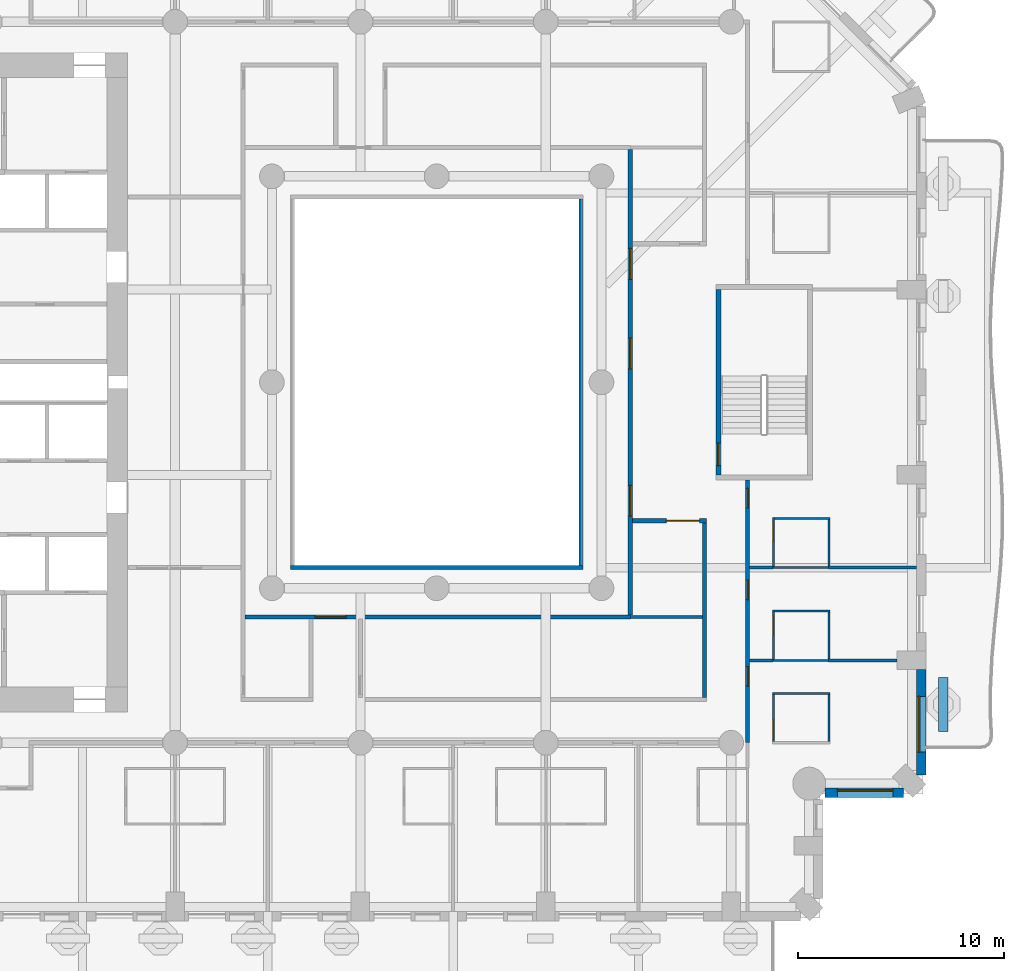
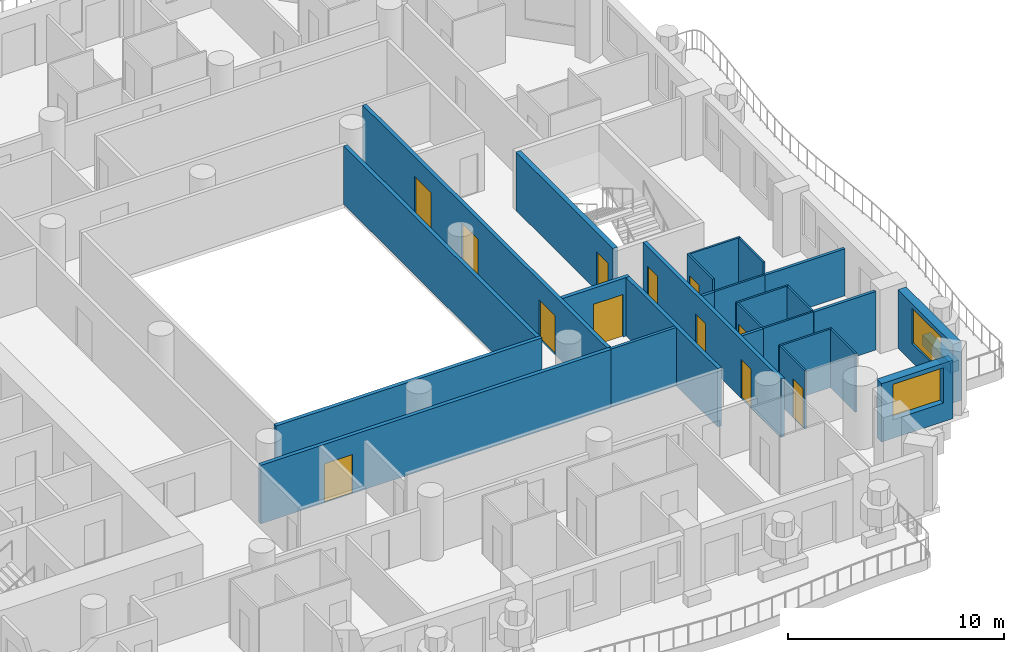
# One storey, part 6 of 20: 27 walls, 12 doors, 2 windows, 14 openings.
"""IFC4 building model written with IfcOpenShell, lengths in metres."""

from ifc_helpers import new_model, si_unit, direction, frame, frame_2d, origin, place, context, subcontext, project, spatial, rectangle, extrude, material, layer, layer_set, type_object, element, fill, save


model = new_model("IFC4")

# Units and contexts
model_context = context("Model", 3, precision=1e-05, world=origin(), true_north=direction((0.0, 1.0)))
body_context = subcontext(model_context, "Body", "Model", "MODEL_VIEW")
ifc_project = project(units=[si_unit("LENGTHUNIT", "METRE"), si_unit("AREAUNIT", "SQUARE_METRE"), si_unit("VOLUMEUNIT", "CUBIC_METRE"), si_unit("PLANEANGLEUNIT", "RADIAN"), si_unit("MASSUNIT", "GRAM", prefix="KILO")], contexts=[model_context])

# Site, building, storey
site_placement = place(None, origin())
site = spatial("IfcSite", under=ifc_project, at=site_placement, CompositionType="ELEMENT")
building_placement = place(site_placement, origin())
building = spatial("IfcBuilding", under=site, at=building_placement, Name="Cypress Arch Tower", CompositionType="ELEMENT")
storey_placement = place(building_placement, frame((0.0, 0.0, 62.699951171875)))
storey = spatial("IfcBuildingStorey", under=building, at=storey_placement, Name="L09", CompositionType="ELEMENT", Elevation=62.699951171875)

# Wall
ifc_material_1 = material(Name="Concrete C40/50, waterproofed", Category="concrete")
ifc_layer_1 = layer(ifc_material_1, 0.449951171875)
ifc_layer_set_1 = layer_set([ifc_layer_1], Name="Balcony planter wall PW450")
wall_type_1 = type_object("IfcWallType", Name="Balcony planter wall PW450", PredefinedType="SOLIDWALL", material=ifc_layer_set_1)
wall_1_placement = place(storey_placement, frame((25.60009765625, -16.949951171875, 0.0), z_axis=(0.0, 0.0, 1.0), x_axis=(0.0, 1.0, 0.0)))
element("IfcWall", 1, at=wall_1_placement, inside=storey, type_object=wall_type_1, Name="Balcony planter wall L09-A06.1", PredefinedType="SOLIDWALL", context=body_context, shape_type="SweptSolid", body=[
    extrude(rectangle(XDim=2.6142578125, YDim=0.449951171875, at=frame_2d((1.30712890625, 0.0))), origin(), (0.0, 0.0, 1.0), 0.60009765625),
])

# Wall, opening, window
ifc_material_2 = material(Name="Brick (red buff blend)", Category="masonry")
ifc_layer_2 = layer(ifc_material_2, 0.449951171875)
ifc_layer_set_2 = layer_set([ifc_layer_2], Name="Brick pier and spandrel wall BW450")
wall_type_2 = type_object("IfcWallType", Name="Brick pier and spandrel wall BW450", PredefinedType="SOLIDWALL", material=ifc_layer_set_2)
wall_2_placement = place(storey_placement, frame((19.8583984375, -19.925048828125, 0.0), z_axis=(0.0, 0.0, 1.0), x_axis=(1.0, 0.0, 0.0)))
wall_2 = element("IfcWall", 2, at=wall_2_placement, inside=storey, type_object=wall_type_2, Name="Brick wall L09 A05.0", PredefinedType="SOLIDWALL", context=body_context, shape_type="SweptSolid", body=[
    extrude(rectangle(XDim=3.80517578125, YDim=0.449951171875, at=frame_2d((1.902587890625, 0.0))), origin(), (0.0, 0.0, 1.0), 3.300048828125),
])
opening_1_placement = place(wall_2_placement, frame((0.591552734375, 0.0, 1.050048828125)))
opening_1 = element("IfcOpeningElement", 3, at=opening_1_placement, cuts=wall_2, Name="Opening W270H", PredefinedType="OPENING", context=body_context, shape_type="SweptSolid", body=[
    extrude(rectangle(XDim=2.699951171875, YDim=2.0, at=frame_2d((1.35009765625, 1.0))), frame((0.0, 0.23486328125, 0.0), z_axis=(0.0, -1.0, 0.0), x_axis=(1.0, 0.0, 0.0)), (0.0, 0.0, 1.0), 0.469970703125),
])
ifc_material_3 = material(Name="Anodised aluminium, bronze finish, clear low-emissivity double glazing", Category="aluminium")
window_type_1 = type_object("IfcWindowType", Name="Window Hotel 2700x2000", PartitioningType="SINGLE_PANEL", PredefinedType="WINDOW", material=ifc_material_3)
window_1_placement = place(opening_1_placement, origin())
window_1 = element("IfcWindow", 4, at=window_1_placement, inside=storey, type_object=window_type_1, Name="Window L09 A05.0.1", OverallHeight=2.0, OverallWidth=2.699951171875, PartitioningType="SINGLE_PANEL", PredefinedType="WINDOW", context=body_context, shape_type="SweptSolid", body=[
    extrude(rectangle(XDim=2.699951171875, YDim=2.0, at=frame_2d((1.35009765625, 1.0))), frame((0.0, 0.135009765625, 0.0), z_axis=(0.0, -1.0, 0.0), x_axis=(1.0, 0.0, 0.0)), (0.0, 0.0, 1.0), 0.06005859375),
])
fill(opening_1, window_1)

wall_3_placement = place(storey_placement, frame((24.52490234375, -19.063720703125, 0.0), z_axis=(0.0, 0.0, 1.0), x_axis=(0.0, 1.0, 0.0)))
wall_3 = element("IfcWall", 5, at=wall_3_placement, inside=storey, type_object=wall_type_2, Name="Brick wall L09 A06.0", PredefinedType="SOLIDWALL", context=body_context, shape_type="SweptSolid", body=[
    extrude(rectangle(XDim=5.11376953125, YDim=0.449951171875, at=frame_2d((2.556884765625, 0.0))), origin(), (0.0, 0.0, 1.0), 3.300048828125),
])
opening_2_placement = place(wall_3_placement, frame((1.113525390625, 0.0, 1.050048828125)))
opening_2 = element("IfcOpeningElement", 6, at=opening_2_placement, cuts=wall_3, Name="Opening W270HD", PredefinedType="OPENING", context=body_context, shape_type="SweptSolid", body=[
    extrude(rectangle(XDim=2.699951171875, YDim=2.0, at=frame_2d((1.35009765625, 1.0))), frame((0.0, 0.23486328125, 0.0), z_axis=(0.0, -1.0, 0.0), x_axis=(1.0, 0.0, 0.0)), (0.0, 0.0, 1.0), 0.469970703125),
])
ifc_material_4 = material(Name="Anodised aluminium, bronze finish, laminated low-emissivity double glazing, large-missile impact rated", Category="aluminium")
window_type_2 = type_object("IfcWindowType", Name="Window Hotel 2700x2000 debris-rated", PartitioningType="SINGLE_PANEL", PredefinedType="WINDOW", material=ifc_material_4)
window_2_placement = place(opening_2_placement, origin())
window_2 = element("IfcWindow", 7, at=window_2_placement, inside=storey, type_object=window_type_2, Name="Window L09 A06.0.1", OverallHeight=2.0, OverallWidth=2.699951171875, PartitioningType="SINGLE_PANEL", PredefinedType="WINDOW", context=body_context, shape_type="SweptSolid", body=[
    extrude(rectangle(XDim=2.699951171875, YDim=2.0, at=frame_2d((1.35009765625, 1.0))), frame((0.0, 0.135009765625, 0.0), z_axis=(0.0, -1.0, 0.0), x_axis=(1.0, 0.0, 0.0)), (0.0, 0.0, 1.0), 0.06005859375),
])
fill(opening_2, window_2)

# Wall, opening, door
ifc_material_5 = material(Name="Concrete blockwork, plastered, rated", Category="masonry")
ifc_layer_3 = layer(ifc_material_5, 0.199951171875)
ifc_layer_set_3 = layer_set([ifc_layer_3], Name="Corridor wall FW200")
wall_type_3 = type_object("IfcWallType", Name="Corridor wall FW200", PredefinedType="PARTITIONING", material=ifc_layer_set_3)
wall_4_placement = place(storey_placement, frame((-8.300048828125, -11.39990234375, 0.0), z_axis=(0.0, 0.0, 1.0), x_axis=(1.0, 0.0, 0.0)))
wall_4 = element("IfcWall", 8, at=wall_4_placement, inside=storey, type_object=wall_type_3, Name="Corridor wall", PredefinedType="PARTITIONING", context=body_context, shape_type="SweptSolid", body=[
    extrude(rectangle(XDim=18.699951171875, YDim=0.199951171875, at=frame_2d((9.35009765625, 0.0))), origin(), (0.0, 0.0, 1.0), 3.300048828125),
])
opening_3_placement = place(wall_4_placement, frame((3.39990234375, 0.0, 0.0)))
opening_3 = element("IfcOpeningElement", 9, at=opening_3_placement, cuts=wall_4, Name="Opening D04", PredefinedType="OPENING", context=body_context, shape_type="SweptSolid", body=[
    extrude(rectangle(XDim=1.5, YDim=2.199951171875, at=frame_2d((0.75, 1.10009765625))), frame((0.0, 0.10986328125, 0.0), z_axis=(0.0, -1.0, 0.0), x_axis=(1.0, 0.0, 0.0)), (0.0, 0.0, 1.0), 0.219970703125),
])
ifc_material_6 = material(Name="Timber double door", Category="wood")
door_type_1 = type_object("IfcDoorType", Name="Double door D04 1500x2200", OperationType="DOUBLE_DOOR_SINGLE_SWING", PredefinedType="DOOR", material=ifc_material_6)
door_1_placement = place(opening_3_placement, origin())
door_1 = element("IfcDoor", 10, at=door_1_placement, inside=storey, type_object=door_type_1, Name="Double door", OperationType="DOUBLE_DOOR_SINGLE_SWING", OverallHeight=2.199951171875, OverallWidth=1.5, PredefinedType="DOOR", context=body_context, shape_type="SweptSolid", body=[
    extrude(rectangle(XDim=1.5, YDim=2.199951171875, at=frame_2d((0.75, 1.10009765625))), frame((0.0, 0.02490234375, 0.0), z_axis=(0.0, -1.0, 0.0), x_axis=(1.0, 0.0, 0.0)), (0.0, 0.0, 1.0), 0.050048828125),
])
fill(opening_3, door_1)

# Walls
wall_5_placement = place(storey_placement, frame((-6.10009765625, -9.0, 0.0), z_axis=(0.0, 0.0, 1.0), x_axis=(1.0, 0.0, 0.0)))
element("IfcWall", 11, at=wall_5_placement, inside=storey, type_object=wall_type_3, Name="Corridor wall", PredefinedType="PARTITIONING", context=body_context, shape_type="SweptSolid", body=[
    extrude(rectangle(XDim=14.2001953125, YDim=0.199951171875, at=frame_2d((7.10009765625, 0.0))), origin(), (0.0, 0.0, 1.0), 3.300048828125),
])
wall_6_placement = place(storey_placement, frame((8.0, -8.89990234375, 0.0), z_axis=(0.0, 0.0, 1.0), x_axis=(0.0, 1.0, 0.0)))
element("IfcWall", 12, at=wall_6_placement, inside=storey, type_object=wall_type_3, Name="Corridor wall", PredefinedType="PARTITIONING", context=body_context, shape_type="SweptSolid", body=[
    extrude(rectangle(XDim=17.7998046875, YDim=0.199951171875, at=frame_2d((8.89990234375, 0.0))), origin(), (0.0, 0.0, 1.0), 3.300048828125),
])

# Wall, openings, doors
wall_7_placement = place(storey_placement, frame((10.39990234375, -11.300048828125, 0.0), z_axis=(0.0, 0.0, 1.0), x_axis=(0.0, 1.0, 0.0)))
wall_7 = element("IfcWall", 13, at=wall_7_placement, inside=storey, type_object=wall_type_3, Name="Corridor wall", PredefinedType="PARTITIONING", context=body_context, shape_type="SweptSolid", body=[
    extrude(rectangle(XDim=22.60009765625, YDim=0.199951171875, at=frame_2d((11.300048828125, 0.0))), origin(), (0.0, 0.0, 1.0), 3.300048828125),
])
opening_4_placement = place(wall_7_placement, frame((4.800048828125, 0.0, 0.0)))
opening_4 = element("IfcOpeningElement", 14, at=opening_4_placement, cuts=wall_7, Name="Opening D04", PredefinedType="OPENING", context=body_context, shape_type="SweptSolid", body=[
    extrude(rectangle(XDim=1.5, YDim=2.199951171875, at=frame_2d((0.75, 1.10009765625))), frame((0.0, 0.10986328125, 0.0), z_axis=(0.0, -1.0, 0.0), x_axis=(1.0, 0.0, 0.0)), (0.0, 0.0, 1.0), 0.219970703125),
])
opening_5_placement = place(wall_7_placement, frame((16.300048828125, 0.0, 0.0)))
opening_5 = element("IfcOpeningElement", 15, at=opening_5_placement, cuts=wall_7, Name="Opening D04", PredefinedType="OPENING", context=body_context, shape_type="SweptSolid", body=[
    extrude(rectangle(XDim=1.5, YDim=2.199951171875, at=frame_2d((0.75, 1.10009765625))), frame((0.0, 0.10986328125, 0.0), z_axis=(0.0, -1.0, 0.0), x_axis=(1.0, 0.0, 0.0)), (0.0, 0.0, 1.0), 0.219970703125),
])
opening_6_placement = place(wall_7_placement, frame((11.949951171875, 0.0, 0.0)))
opening_6 = element("IfcOpeningElement", 16, at=opening_6_placement, cuts=wall_7, Name="Opening D04", PredefinedType="OPENING", context=body_context, shape_type="SweptSolid", body=[
    extrude(rectangle(XDim=1.5, YDim=2.199951171875, at=frame_2d((0.75, 1.10009765625))), frame((0.0, 0.10986328125, 0.0), z_axis=(0.0, -1.0, 0.0), x_axis=(1.0, 0.0, 0.0)), (0.0, 0.0, 1.0), 0.219970703125),
])
door_2_placement = place(opening_4_placement, origin())
door_2 = element("IfcDoor", 17, at=door_2_placement, inside=storey, type_object=door_type_1, Name="Double door", OperationType="DOUBLE_DOOR_SINGLE_SWING", OverallHeight=2.199951171875, OverallWidth=1.5, PredefinedType="DOOR", context=body_context, shape_type="SweptSolid", body=[
    extrude(rectangle(XDim=1.5, YDim=2.199951171875, at=frame_2d((0.75, 1.10009765625))), frame((0.0, 0.02490234375, 0.0), z_axis=(0.0, -1.0, 0.0), x_axis=(1.0, 0.0, 0.0)), (0.0, 0.0, 1.0), 0.050048828125),
])
fill(opening_4, door_2)
door_3_placement = place(opening_5_placement, origin())
door_3 = element("IfcDoor", 18, at=door_3_placement, inside=storey, type_object=door_type_1, Name="Double door", OperationType="DOUBLE_DOOR_SINGLE_SWING", OverallHeight=2.199951171875, OverallWidth=1.5, PredefinedType="DOOR", context=body_context, shape_type="SweptSolid", body=[
    extrude(rectangle(XDim=1.5, YDim=2.199951171875, at=frame_2d((0.75, 1.10009765625))), frame((0.0, 0.02490234375, 0.0), z_axis=(0.0, -1.0, 0.0), x_axis=(1.0, 0.0, 0.0)), (0.0, 0.0, 1.0), 0.050048828125),
])
fill(opening_5, door_3)
door_4_placement = place(opening_6_placement, origin())
door_4 = element("IfcDoor", 19, at=door_4_placement, inside=storey, type_object=door_type_1, Name="Double door", OperationType="DOUBLE_DOOR_SINGLE_SWING", OverallHeight=2.199951171875, OverallWidth=1.5, PredefinedType="DOOR", context=body_context, shape_type="SweptSolid", body=[
    extrude(rectangle(XDim=1.5, YDim=2.199951171875, at=frame_2d((0.75, 1.10009765625))), frame((0.0, 0.02490234375, 0.0), z_axis=(0.0, -1.0, 0.0), x_axis=(1.0, 0.0, 0.0)), (0.0, 0.0, 1.0), 0.050048828125),
])
fill(opening_6, door_4)

# Wall, opening, door
wall_8_placement = place(storey_placement, frame((10.5, -6.72509765625, 0.0), z_axis=(0.0, 0.0, 1.0), x_axis=(1.0, 0.0, 0.0)))
wall_8 = element("IfcWall", 20, at=wall_8_placement, inside=storey, type_object=wall_type_3, Name="Corridor wall", PredefinedType="PARTITIONING", context=body_context, shape_type="SweptSolid", body=[
    extrude(rectangle(XDim=3.60009765625, YDim=0.199951171875, at=frame_2d((1.800048828125, 0.0))), origin(), (0.0, 0.0, 1.0), 3.300048828125),
])
opening_7_placement = place(wall_8_placement, frame((1.64990234375, 0.0, 0.0)))
opening_7 = element("IfcOpeningElement", 21, at=opening_7_placement, cuts=wall_8, Name="Opening D10", PredefinedType="OPENING", context=body_context, shape_type="SweptSolid", body=[
    extrude(rectangle(XDim=1.60009765625, YDim=2.39990234375, at=frame_2d((0.800048828125, 1.199951171875))), frame((0.0, 0.10986328125, 0.0), z_axis=(0.0, -1.0, 0.0), x_axis=(1.0, 0.0, 0.0)), (0.0, 0.0, 1.0), 0.219970703125),
])
ifc_material_7 = material(Name="Black aluminium glazed door", Category="aluminium")
door_type_2 = type_object("IfcDoorType", Name="Amenity door D10 1600x2400", OperationType="DOUBLE_DOOR_SINGLE_SWING", PredefinedType="DOOR", material=ifc_material_7)
door_5_placement = place(opening_7_placement, origin())
door_5 = element("IfcDoor", 22, at=door_5_placement, inside=storey, type_object=door_type_2, Name="Amenity door", OperationType="DOUBLE_DOOR_SINGLE_SWING", OverallHeight=2.39990234375, OverallWidth=1.60009765625, PredefinedType="DOOR", context=body_context, shape_type="SweptSolid", body=[
    extrude(rectangle(XDim=1.60009765625, YDim=2.39990234375, at=frame_2d((0.800048828125, 1.199951171875))), frame((0.0, 0.02490234375, 0.0), z_axis=(0.0, -1.0, 0.0), x_axis=(1.0, 0.0, 0.0)), (0.0, 0.0, 1.0), 0.050048828125),
])
fill(opening_7, door_5)

# Wall
wall_9_placement = place(storey_placement, frame((14.0, -15.300048828125, 0.0), z_axis=(0.0, 0.0, 1.0), x_axis=(0.0, 1.0, 0.0)))
element("IfcWall", 23, at=wall_9_placement, inside=storey, type_object=wall_type_3, Name="Corridor wall", PredefinedType="PARTITIONING", context=body_context, shape_type="SweptSolid", body=[
    extrude(rectangle(XDim=8.47509765625, YDim=0.199951171875, at=frame_2d((4.237548828125, 0.0))), origin(), (0.0, 0.0, 1.0), 3.300048828125),
])

# Wall, openings, doors
wall_10_placement = place(storey_placement, frame((16.10009765625, -17.5, 0.0), z_axis=(0.0, 0.0, 1.0), x_axis=(0.0, 1.0, 0.0)))
wall_10 = element("IfcWall", 24, at=wall_10_placement, inside=storey, type_object=wall_type_3, Name="Corridor wall", PredefinedType="PARTITIONING", context=body_context, shape_type="SweptSolid", body=[
    extrude(rectangle(XDim=12.75, YDim=0.199951171875, at=frame_2d((6.375, 0.0))), origin(), (0.0, 0.0, 1.0), 3.300048828125),
])
opening_8_placement = place(wall_10_placement, frame((2.75, 0.0, 0.0)))
opening_8 = element("IfcOpeningElement", 25, at=opening_8_placement, cuts=wall_10, Name="Opening D02", PredefinedType="OPENING", context=body_context, shape_type="SweptSolid", body=[
    extrude(rectangle(XDim=0.949951171875, YDim=2.199951171875, at=frame_2d((0.47509765625, 1.10009765625))), frame((0.0, 0.10986328125, 0.0), z_axis=(0.0, -1.0, 0.0), x_axis=(1.0, 0.0, 0.0)), (0.0, 0.0, 1.0), 0.219970703125),
])
opening_9_placement = place(wall_10_placement, frame((6.949951171875, 0.0, 0.0)))
opening_9 = element("IfcOpeningElement", 26, at=opening_9_placement, cuts=wall_10, Name="Opening D02", PredefinedType="OPENING", context=body_context, shape_type="SweptSolid", body=[
    extrude(rectangle(XDim=0.949951171875, YDim=2.199951171875, at=frame_2d((0.47509765625, 1.10009765625))), frame((0.0, 0.10986328125, 0.0), z_axis=(0.0, -1.0, 0.0), x_axis=(1.0, 0.0, 0.0)), (0.0, 0.0, 1.0), 0.219970703125),
])
opening_10_placement = place(wall_10_placement, frame((11.39990234375, 0.0, 0.0)))
opening_10 = element("IfcOpeningElement", 27, at=opening_10_placement, cuts=wall_10, Name="Opening D02", PredefinedType="OPENING", context=body_context, shape_type="SweptSolid", body=[
    extrude(rectangle(XDim=0.949951171875, YDim=2.199951171875, at=frame_2d((0.47509765625, 1.10009765625))), frame((0.0, 0.10986328125, 0.0), z_axis=(0.0, -1.0, 0.0), x_axis=(1.0, 0.0, 0.0)), (0.0, 0.0, 1.0), 0.219970703125),
])
ifc_material_8 = material(Name="Timber flush door, fire resisting", Category="wood")
door_type_3 = type_object("IfcDoorType", Name="Room door D02 950x2200", OperationType="SINGLE_SWING_LEFT", PredefinedType="DOOR", material=ifc_material_8)
door_6_placement = place(opening_8_placement, origin())
door_6 = element("IfcDoor", 28, at=door_6_placement, inside=storey, type_object=door_type_3, Name="Room door", OperationType="SINGLE_SWING_LEFT", OverallHeight=2.199951171875, OverallWidth=0.949951171875, PredefinedType="DOOR", context=body_context, shape_type="SweptSolid", body=[
    extrude(rectangle(XDim=0.949951171875, YDim=2.199951171875, at=frame_2d((0.47509765625, 1.10009765625))), frame((0.0, 0.02490234375, 0.0), z_axis=(0.0, -1.0, 0.0), x_axis=(1.0, 0.0, 0.0)), (0.0, 0.0, 1.0), 0.050048828125),
])
fill(opening_8, door_6)
door_7_placement = place(opening_9_placement, origin())
door_7 = element("IfcDoor", 29, at=door_7_placement, inside=storey, type_object=door_type_3, Name="Room door", OperationType="SINGLE_SWING_LEFT", OverallHeight=2.199951171875, OverallWidth=0.949951171875, PredefinedType="DOOR", context=body_context, shape_type="SweptSolid", body=[
    extrude(rectangle(XDim=0.949951171875, YDim=2.199951171875, at=frame_2d((0.47509765625, 1.10009765625))), frame((0.0, 0.02490234375, 0.0), z_axis=(0.0, -1.0, 0.0), x_axis=(1.0, 0.0, 0.0)), (0.0, 0.0, 1.0), 0.050048828125),
])
fill(opening_9, door_7)
door_8_placement = place(opening_10_placement, origin())
door_8 = element("IfcDoor", 30, at=door_8_placement, inside=storey, type_object=door_type_3, Name="Room door", OperationType="SINGLE_SWING_LEFT", OverallHeight=2.199951171875, OverallWidth=0.949951171875, PredefinedType="DOOR", context=body_context, shape_type="SweptSolid", body=[
    extrude(rectangle(XDim=0.949951171875, YDim=2.199951171875, at=frame_2d((0.47509765625, 1.10009765625))), frame((0.0, 0.02490234375, 0.0), z_axis=(0.0, -1.0, 0.0), x_axis=(1.0, 0.0, 0.0)), (0.0, 0.0, 1.0), 0.050048828125),
])
fill(opening_10, door_8)

# Walls
ifc_material_9 = material(Name="Blockwork, plastered both sides", Category="masonry")
ifc_layer_4 = layer(ifc_material_9, 0.14990234375)
ifc_layer_set_4 = layer_set([ifc_layer_4], Name="Partition PW150")
wall_type_4 = type_object("IfcWallType", Name="Partition PW150", PredefinedType="PARTITIONING", material=ifc_layer_set_4)
wall_11_placement = place(storey_placement, frame((10.39990234375, -11.39990234375, 0.0), z_axis=(0.0, 0.0, 1.0), x_axis=(1.0, 0.0, 0.0)))
element("IfcWall", 31, at=wall_11_placement, inside=storey, type_object=wall_type_4, Name="Partition", PredefinedType="PARTITIONING", context=body_context, shape_type="SweptSolid", body=[
    extrude(rectangle(XDim=3.5, YDim=0.14990234375, at=frame_2d((1.75, 0.0))), origin(), (0.0, 0.0, 1.0), 3.300048828125),
])
wall_12_placement = place(storey_placement, frame((16.199951171875, -13.5, 0.0), z_axis=(0.0, 0.0, 1.0), x_axis=(1.0, 0.0, 0.0)))
element("IfcWall", 32, at=wall_12_placement, inside=storey, type_object=wall_type_4, Name="Partition", PredefinedType="PARTITIONING", context=body_context, shape_type="SweptSolid", body=[
    extrude(rectangle(XDim=1.130126953125, YDim=0.14990234375, at=frame_2d((0.56494140625, 0.0))), origin(), (0.0, 0.0, 1.0), 3.300048828125),
])
wall_13_placement = place(storey_placement, frame((16.199951171875, -9.0, 0.0), z_axis=(0.0, 0.0, 1.0), x_axis=(1.0, 0.0, 0.0)))
element("IfcWall", 33, at=wall_13_placement, inside=storey, type_object=wall_type_4, Name="Partition", PredefinedType="PARTITIONING", context=body_context, shape_type="SweptSolid", body=[
    extrude(rectangle(XDim=1.130126953125, YDim=0.14990234375, at=frame_2d((0.56494140625, 0.0))), origin(), (0.0, 0.0, 1.0), 2.650146484375),
])
wall_14_placement = place(storey_placement, frame((20.030029296875, -13.5, 0.0), z_axis=(0.0, 0.0, 1.0), x_axis=(1.0, 0.0, 0.0)))
element("IfcWall", 34, at=wall_14_placement, inside=storey, type_object=wall_type_4, Name="Partition", PredefinedType="PARTITIONING", context=body_context, shape_type="SweptSolid", body=[
    extrude(rectangle(XDim=3.320068359375, YDim=0.14990234375, at=frame_2d((1.66015625, 0.0))), origin(), (0.0, 0.0, 1.0), 3.300048828125),
])
wall_15_placement = place(storey_placement, frame((20.030029296875, -9.0, 0.0), z_axis=(0.0, 0.0, 1.0), x_axis=(1.0, 0.0, 0.0)))
element("IfcWall", 35, at=wall_15_placement, inside=storey, type_object=wall_type_4, Name="Partition", PredefinedType="PARTITIONING", context=body_context, shape_type="SweptSolid", body=[
    extrude(rectangle(XDim=4.27001953125, YDim=0.14990234375, at=frame_2d((2.135009765625, 0.0))), origin(), (0.0, 0.0, 1.0), 2.650146484375),
])

# Wall, opening, door
ifc_material_10 = material(Name="Concrete C50/60", Category="concrete")
ifc_layer_5 = layer(ifc_material_10, 0.25)
ifc_layer_set_5 = layer_set([ifc_layer_5], Name="Stair enclosure wall SW250")
wall_type_5 = type_object("IfcWallType", Name="Stair enclosure wall SW250", PredefinedType="SHEAR", material=ifc_layer_set_5)
wall_16_placement = place(storey_placement, frame((14.675048828125, -4.5, 0.0), z_axis=(0.0, 0.0, 1.0), x_axis=(0.0, 1.0, 0.0)))
wall_16 = element("IfcWall", 36, at=wall_16_placement, inside=storey, type_object=wall_type_5, Name="Stair enclosure wall", PredefinedType="SHEAR", context=body_context, shape_type="SweptSolid", body=[
    extrude(rectangle(XDim=9.0, YDim=0.25, at=frame_2d((4.5, 0.0))), origin(), (0.0, 0.0, 1.0), 3.300048828125),
])
opening_11_placement = place(wall_16_placement, frame((0.449951171875, 0.0, 0.0)))
opening_11 = element("IfcOpeningElement", 37, at=opening_11_placement, cuts=wall_16, Name="Opening D06", PredefinedType="OPENING", context=body_context, shape_type="SweptSolid", body=[
    extrude(rectangle(XDim=1.10009765625, YDim=2.199951171875, at=frame_2d((0.550048828125, 1.10009765625))), frame((0.0, 0.135009765625, 0.0), z_axis=(0.0, -1.0, 0.0), x_axis=(1.0, 0.0, 0.0)), (0.0, 0.0, 1.0), 0.27001953125),
])
ifc_material_11 = material(Name="Steel door, fire resisting, panic bar", Category="steel")
door_type_4 = type_object("IfcDoorType", Name="Stair door D06 1100x2200", OperationType="SINGLE_SWING_LEFT", PredefinedType="DOOR", material=ifc_material_11)
door_9_placement = place(opening_11_placement, origin())
door_9 = element("IfcDoor", 38, at=door_9_placement, inside=storey, type_object=door_type_4, Name="Stair door", OperationType="SINGLE_SWING_RIGHT", OverallHeight=2.199951171875, OverallWidth=1.10009765625, PredefinedType="DOOR", context=body_context, shape_type="SweptSolid", body=[
    extrude(rectangle(XDim=1.10009765625, YDim=2.199951171875, at=frame_2d((0.550048828125, 1.10009765625))), frame((0.0, 0.02490234375, 0.0), z_axis=(0.0, -1.0, 0.0), x_axis=(1.0, 0.0, 0.0)), (0.0, 0.0, 1.0), 0.050048828125),
])
fill(opening_11, door_9)

# Walls
ifc_material_12 = material(Name="Moisture resistant board on steel studs, tiled", Category="steel")
ifc_layer_6 = layer(ifc_material_12, 0.10009765625)
ifc_layer_set_6 = layer_set([ifc_layer_6], Name="Wet wall PW100")
wall_type_6 = type_object("IfcWallType", Name="Wet wall PW100", PredefinedType="PARTITIONING", material=ifc_layer_set_6)
wall_17_placement = place(storey_placement, frame((17.330078125, -13.5, 0.0), z_axis=(0.0, 0.0, 1.0), x_axis=(1.0, 0.0, 0.0)))
element("IfcWall", 39, at=wall_17_placement, inside=storey, type_object=wall_type_6, Name="Wet wall", PredefinedType="PARTITIONING", context=body_context, shape_type="SweptSolid", body=[
    extrude(rectangle(XDim=2.699951171875, YDim=0.10009765625, at=frame_2d((1.35009765625, 0.0))), origin(), (0.0, 0.0, 1.0), 3.300048828125),
])
wall_18_placement = place(storey_placement, frame((17.330078125, -9.0, 0.0), z_axis=(0.0, 0.0, 1.0), x_axis=(1.0, 0.0, 0.0)))
element("IfcWall", 40, at=wall_18_placement, inside=storey, type_object=wall_type_6, Name="Wet wall", PredefinedType="PARTITIONING", context=body_context, shape_type="SweptSolid", body=[
    extrude(rectangle(XDim=2.699951171875, YDim=0.10009765625, at=frame_2d((1.35009765625, 0.0))), origin(), (0.0, 0.0, 1.0), 2.650146484375),
])

# Wall, opening, door
wall_19_placement = place(storey_placement, frame((17.35009765625, -17.449951171875, 0.0), z_axis=(0.0, 0.0, 1.0), x_axis=(0.0, 1.0, 0.0)))
wall_19 = element("IfcWall", 41, at=wall_19_placement, inside=storey, type_object=wall_type_6, Name="Wet wall", PredefinedType="PARTITIONING", context=body_context, shape_type="SweptSolid", body=[
    extrude(rectangle(XDim=2.300048828125, YDim=0.10009765625, at=frame_2d((1.14990234375, 0.0))), origin(), (0.0, 0.0, 1.0), 3.300048828125),
])
opening_12_placement = place(wall_19_placement, frame((0.14990234375, 0.0, 0.0)))
opening_12 = element("IfcOpeningElement", 42, at=opening_12_placement, cuts=wall_19, Name="Opening D03", PredefinedType="OPENING", context=body_context, shape_type="SweptSolid", body=[
    extrude(rectangle(XDim=0.89990234375, YDim=2.199951171875, at=frame_2d((0.449951171875, 1.10009765625))), frame((0.0, 0.06005859375, 0.0), z_axis=(0.0, -1.0, 0.0), x_axis=(1.0, 0.0, 0.0)), (0.0, 0.0, 1.0), 0.1201171875),
])
ifc_material_13 = material(Name="Timber flush door, moisture resistant", Category="wood")
door_type_5 = type_object("IfcDoorType", Name="Bathroom door D03 900x2200", OperationType="SINGLE_SWING_LEFT", PredefinedType="DOOR", material=ifc_material_13)
door_10_placement = place(opening_12_placement, origin())
door_10 = element("IfcDoor", 43, at=door_10_placement, inside=storey, type_object=door_type_5, Name="Bathroom door", OperationType="SINGLE_SWING_RIGHT", OverallHeight=2.199951171875, OverallWidth=0.89990234375, PredefinedType="DOOR", context=body_context, shape_type="SweptSolid", body=[
    extrude(rectangle(XDim=0.89990234375, YDim=2.199951171875, at=frame_2d((0.449951171875, 1.10009765625))), frame((0.0, 0.02490234375, 0.0), z_axis=(0.0, -1.0, 0.0), x_axis=(1.0, 0.0, 0.0)), (0.0, 0.0, 1.0), 0.050048828125),
])
fill(opening_12, door_10)

# Wall
wall_20_placement = place(storey_placement, frame((17.300048828125, -15.10009765625, 0.0), z_axis=(0.0, 0.0, 1.0), x_axis=(1.0, 0.0, 0.0)))
element("IfcWall", 44, at=wall_20_placement, inside=storey, type_object=wall_type_6, Name="Wet wall", PredefinedType="PARTITIONING", context=body_context, shape_type="SweptSolid", body=[
    extrude(rectangle(XDim=2.800048828125, YDim=0.10009765625, at=frame_2d((1.39990234375, 0.0))), origin(), (0.0, 0.0, 1.0), 3.300048828125),
])

# Wall, opening, door
wall_21_placement = place(storey_placement, frame((17.35009765625, -13.449951171875, 0.0), z_axis=(0.0, 0.0, 1.0), x_axis=(0.0, 1.0, 0.0)))
wall_21 = element("IfcWall", 45, at=wall_21_placement, inside=storey, type_object=wall_type_6, Name="Wet wall", PredefinedType="PARTITIONING", context=body_context, shape_type="SweptSolid", body=[
    extrude(rectangle(XDim=2.2958984375, YDim=0.10009765625, at=frame_2d((1.14794921875, 0.0))), origin(), (0.0, 0.0, 1.0), 3.300048828125),
])
opening_13_placement = place(wall_21_placement, frame((1.199951171875, 0.0, 0.0)))
opening_13 = element("IfcOpeningElement", 46, at=opening_13_placement, cuts=wall_21, Name="Opening D03", PredefinedType="OPENING", context=body_context, shape_type="SweptSolid", body=[
    extrude(rectangle(XDim=0.89990234375, YDim=2.199951171875, at=frame_2d((0.449951171875, 1.10009765625))), frame((0.0, 0.06005859375, 0.0), z_axis=(0.0, -1.0, 0.0), x_axis=(1.0, 0.0, 0.0)), (0.0, 0.0, 1.0), 0.1201171875),
])
door_11_placement = place(opening_13_placement, origin())
door_11 = element("IfcDoor", 47, at=door_11_placement, inside=storey, type_object=door_type_5, Name="Bathroom door", OperationType="SINGLE_SWING_LEFT", OverallHeight=2.199951171875, OverallWidth=0.89990234375, PredefinedType="DOOR", context=body_context, shape_type="SweptSolid", body=[
    extrude(rectangle(XDim=0.89990234375, YDim=2.199951171875, at=frame_2d((0.449951171875, 1.10009765625))), frame((0.0, 0.02490234375, 0.0), z_axis=(0.0, -1.0, 0.0), x_axis=(1.0, 0.0, 0.0)), (0.0, 0.0, 1.0), 0.050048828125),
])
fill(opening_13, door_11)

# Wall
wall_22_placement = place(storey_placement, frame((17.300048828125, -11.10400390625, 0.0), z_axis=(0.0, 0.0, 1.0), x_axis=(1.0, 0.0, 0.0)))
element("IfcWall", 48, at=wall_22_placement, inside=storey, type_object=wall_type_6, Name="Wet wall", PredefinedType="PARTITIONING", context=body_context, shape_type="SweptSolid", body=[
    extrude(rectangle(XDim=2.800048828125, YDim=0.10009765625, at=frame_2d((1.39990234375, 0.0))), origin(), (0.0, 0.0, 1.0), 3.300048828125),
])

# Wall, opening, door
wall_23_placement = place(storey_placement, frame((17.35009765625, -8.949951171875, 0.0), z_axis=(0.0, 0.0, 1.0), x_axis=(0.000407580973, 0.999999916939, 0.0)))
wall_23 = element("IfcWall", 49, at=wall_23_placement, inside=storey, type_object=wall_type_6, Name="Wet wall", PredefinedType="PARTITIONING", context=body_context, shape_type="SweptSolid", body=[
    extrude(rectangle(XDim=2.39599609375, YDim=0.10009765625, at=frame_2d((1.197998046875, 0.0))), origin(), (0.0, 0.0, 1.0), 3.300048828125),
])
opening_14_placement = place(wall_23_placement, frame((1.25, 0.0, 0.0)))
opening_14 = element("IfcOpeningElement", 50, at=opening_14_placement, cuts=wall_23, Name="Opening D03", PredefinedType="OPENING", context=body_context, shape_type="SweptSolid", body=[
    extrude(rectangle(XDim=0.89990234375, YDim=2.199951171875, at=frame_2d((0.449951171875, 1.10009765625))), frame((0.0, 0.06005859375, 0.0), z_axis=(0.0, -1.0, 0.0), x_axis=(1.0, 0.0, 0.0)), (0.0, 0.0, 1.0), 0.1201171875),
])
door_12_placement = place(opening_14_placement, origin())
door_12 = element("IfcDoor", 51, at=door_12_placement, inside=storey, type_object=door_type_5, Name="Bathroom door", OperationType="SINGLE_SWING_LEFT", OverallHeight=2.199951171875, OverallWidth=0.89990234375, PredefinedType="DOOR", context=body_context, shape_type="SweptSolid", body=[
    extrude(rectangle(XDim=0.89990234375, YDim=2.199951171875, at=frame_2d((0.449951171875, 1.10009765625))), frame((0.0, 0.02490234375, 0.0), z_axis=(0.0, -1.0, 0.0), x_axis=(1.0, 0.0, 0.0)), (0.0, 0.0, 1.0), 0.050048828125),
])
fill(opening_14, door_12)

# Walls
wall_24_placement = place(storey_placement, frame((17.40087890625, -6.60400390625, 0.0), z_axis=(0.0, 0.0, 1.0), x_axis=(0.9999999346, -0.000361663629, 0.0)))
element("IfcWall", 52, at=wall_24_placement, inside=storey, type_object=wall_type_6, Name="Wet wall", PredefinedType="PARTITIONING", context=body_context, shape_type="SweptSolid", body=[
    extrude(rectangle(XDim=2.7001953125, YDim=0.10009765625, at=frame_2d((1.35009765625, 0.0))), origin(), (0.0, 0.0, 1.0), 3.300048828125),
])
wall_25_placement = place(storey_placement, frame((20.050048828125, -17.449951171875, 0.0), z_axis=(0.0, 0.0, 1.0), x_axis=(0.0, 1.0, 0.0)))
element("IfcWall", 53, at=wall_25_placement, inside=storey, type_object=wall_type_6, Name="Wet wall", PredefinedType="PARTITIONING", context=body_context, shape_type="SweptSolid", body=[
    extrude(rectangle(XDim=2.300048828125, YDim=0.10009765625, at=frame_2d((1.14990234375, 0.0))), origin(), (0.0, 0.0, 1.0), 3.300048828125),
])
wall_26_placement = place(storey_placement, frame((20.050048828125, -13.425048828125, 0.0), z_axis=(0.0, 0.0, 1.0), x_axis=(0.0, 1.0, 0.0)))
element("IfcWall", 54, at=wall_26_placement, inside=storey, type_object=wall_type_6, Name="Wet wall", PredefinedType="PARTITIONING", context=body_context, shape_type="SweptSolid", body=[
    extrude(rectangle(XDim=2.27099609375, YDim=0.10009765625, at=frame_2d((1.135498046875, 0.0))), origin(), (0.0, 0.0, 1.0), 3.300048828125),
])
wall_27_placement = place(storey_placement, frame((20.050048828125, -8.925048828125, 0.0), z_axis=(0.0, 0.0, 1.0), x_axis=(0.000430200003, 0.999999907464, 0.0)))
element("IfcWall", 55, at=wall_27_placement, inside=storey, type_object=wall_type_6, Name="Wet wall", PredefinedType="PARTITIONING", context=body_context, shape_type="SweptSolid", body=[
    extrude(rectangle(XDim=2.27001953125, YDim=0.10009765625, at=frame_2d((1.135009765625, 0.0))), origin(), (0.0, 0.0, 1.0), 3.300048828125),
])

save(model, "model.ifc")
